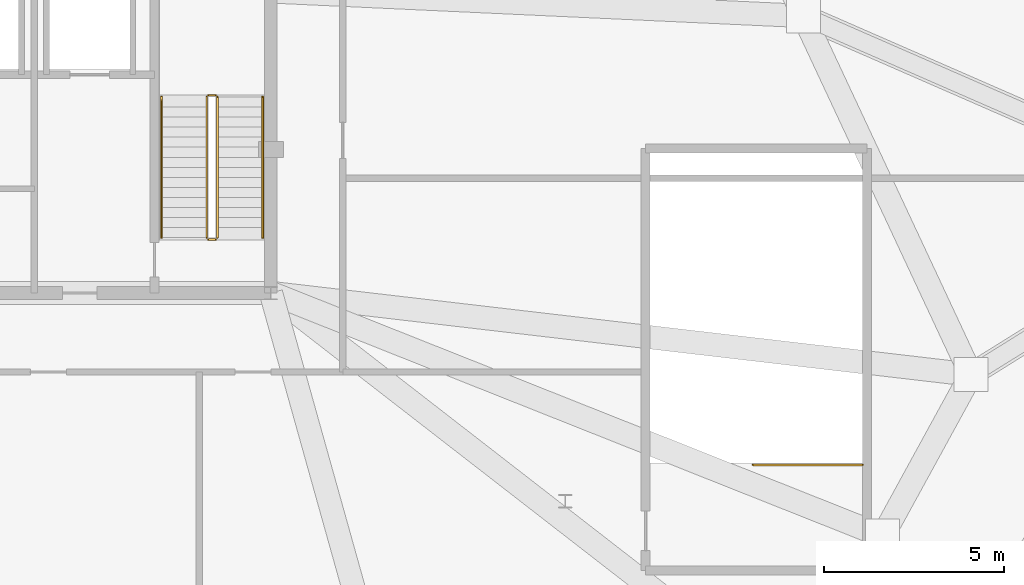
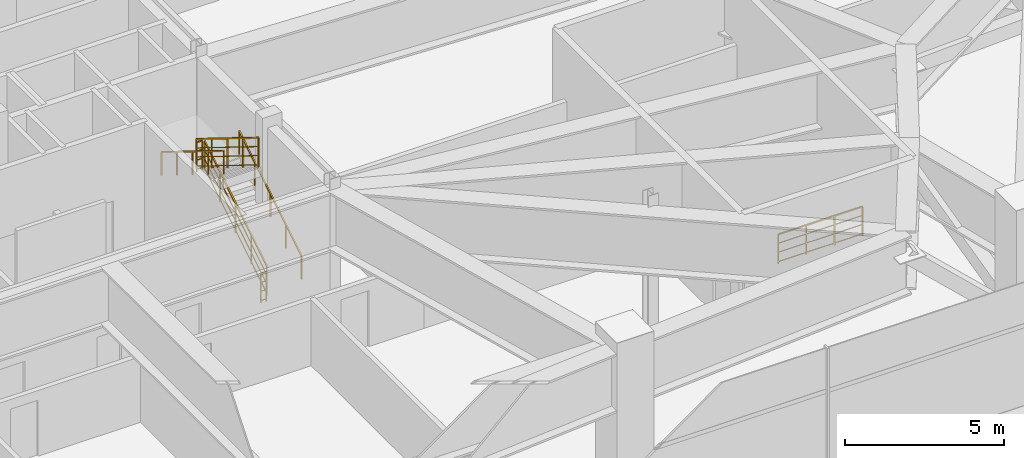
# One storey, part 27 of 29: 7 railings.
"""IFC4 building model written with IfcOpenShell, lengths in metres."""

from ifc_helpers import new_model, si_unit, direction, frame, origin, origin_2d, place, context, subcontext, project, spatial, rectangle, extrude, material, type_object, element, save


model = new_model("IFC4")

# Units and contexts
model_context = context("Model", 3, precision=1e-05, world=origin(), true_north=direction((0.0, 1.0)))
body_context = subcontext(model_context, "Body", "Model", "MODEL_VIEW")
ifc_project = project(units=[si_unit("LENGTHUNIT", "METRE"), si_unit("AREAUNIT", "SQUARE_METRE"), si_unit("VOLUMEUNIT", "CUBIC_METRE"), si_unit("PLANEANGLEUNIT", "RADIAN"), si_unit("MASSUNIT", "GRAM", prefix="KILO")], contexts=[model_context])

# Site, building, storey
site_placement = place(None, origin())
site = spatial("IfcSite", under=ifc_project, at=site_placement, CompositionType="ELEMENT")
building_placement = place(site_placement, origin())
building = spatial("IfcBuilding", under=site, at=building_placement, Name="Varakhsha Concourse Tower", CompositionType="ELEMENT")
storey_placement = place(building_placement, frame((0.0, 0.0, 22.0)))
storey = spatial("IfcBuildingStorey", under=building, at=storey_placement, Name="L05", CompositionType="ELEMENT", Elevation=22.0)

# Railings
ifc_material = material(Name="Brushed Austenitic Stainless Steel AISI 316", Category="steel")
railing_type_1 = type_object("IfcRailingType", Name="RL-STAIR-GUARD-1100", PredefinedType="GUARDRAIL", material=ifc_material)
railing_1_placement = place(storey_placement, frame((46.7099609375, 17.93994140625, 0.17333984375)))
element("IfcRailing", 1, at=railing_1_placement, inside=storey, type_object=railing_type_1, Name="L05 ST2 stair guard 1", PredefinedType="GUARDRAIL", context=body_context, shape_type="SweptSolid", body=[
    extrude(rectangle(XDim=0.048095703125, YDim=0.048095703125, at=origin_2d()), frame((0.0, 0.0, 1.1259765625), z_axis=(0.0, 0.850266275192, 0.526352791643), x_axis=(-1.0, 0.0, 0.0)), (0.0, 0.0, 1.0), 4.610595703125),
    extrude(rectangle(XDim=0.028076171875, YDim=0.028076171875, at=origin_2d()), frame((0.0, 0.0, 0.080078125), z_axis=(0.0, 0.850266275192, 0.526352791643), x_axis=(-1.0, 0.0, 0.0)), (0.0, 0.0, 1.0), 4.610595703125),
    extrude(rectangle(XDim=0.028076171875, YDim=0.028076171875, at=origin_2d()), frame((0.0, 0.0, 0.43701171875), z_axis=(0.0, 0.850266275192, 0.526352791643), x_axis=(-1.0, 0.0, 0.0)), (0.0, 0.0, 1.0), 4.610595703125),
    extrude(rectangle(XDim=0.028076171875, YDim=0.028076171875, at=origin_2d()), frame((0.0, 0.0, 0.781982421875), z_axis=(0.0, 0.850266275192, 0.526352791643), x_axis=(-1.0, 0.0, 0.0)), (0.0, 0.0, 1.0), 4.610595703125),
    extrude(rectangle(XDim=0.0419921875, YDim=0.0419921875, at=origin_2d()), origin(), (0.0, 0.0, 1.0), 1.101806640625),
    extrude(rectangle(XDim=0.0419921875, YDim=0.0419921875, at=origin_2d()), frame((0.0, 0.97998046875, 0.606689453125)), (0.0, 0.0, 1.0), 1.101806640625),
    extrude(rectangle(XDim=0.0419921875, YDim=0.0419921875, at=origin_2d()), frame((0.0, 1.9599609375, 1.21337890625)), (0.0, 0.0, 1.0), 1.101806640625),
    extrude(rectangle(XDim=0.0419921875, YDim=0.0419921875, at=origin_2d()), frame((0.0, 2.940185546875, 1.820068359375)), (0.0, 0.0, 1.0), 1.101806640625),
    extrude(rectangle(XDim=0.0419921875, YDim=0.0419921875, at=origin_2d()), frame((0.0, 3.920166015625, 2.4267578125)), (0.0, 0.0, 1.0), 1.101806640625),
])
railing_2_placement = place(storey_placement, frame((46.659912109375, 21.909912109375, 2.60009765625)))
element("IfcRailing", 2, at=railing_2_placement, inside=storey, type_object=railing_type_1, Name="L05 ST2 stair guard 2", PredefinedType="GUARDRAIL", context=body_context, shape_type="SweptSolid", body=[
    extrude(rectangle(XDim=0.048095703125, YDim=0.048095703125, at=origin_2d()), frame((0.0, 0.0, 1.1259765625), z_axis=(-1.0, 0.0, 0.0), x_axis=(0.0, -1.0, 0.0)), (0.0, 0.0, 1.0), 0.199951171875),
    extrude(rectangle(XDim=0.028076171875, YDim=0.028076171875, at=origin_2d()), frame((0.0, 0.0, 0.080078125), z_axis=(-1.0, 0.0, 0.0), x_axis=(0.0, -1.0, 0.0)), (0.0, 0.0, 1.0), 0.199951171875),
    extrude(rectangle(XDim=0.028076171875, YDim=0.028076171875, at=origin_2d()), frame((0.0, 0.0, 0.43701171875), z_axis=(-1.0, 0.0, 0.0), x_axis=(0.0, -1.0, 0.0)), (0.0, 0.0, 1.0), 0.199951171875),
    extrude(rectangle(XDim=0.028076171875, YDim=0.028076171875, at=origin_2d()), frame((0.0, 0.0, 0.781982421875), z_axis=(-1.0, 0.0, 0.0), x_axis=(0.0, -1.0, 0.0)), (0.0, 0.0, 1.0), 0.199951171875),
    extrude(rectangle(XDim=0.0419921875, YDim=0.0419921875, at=origin_2d()), origin(), (0.0, 0.0, 1.0), 1.101806640625),
    extrude(rectangle(XDim=0.0419921875, YDim=0.0419921875, at=origin_2d()), frame((-0.199951171875, 0.0, 0.0)), (0.0, 0.0, 1.0), 1.101806640625),
])
railing_3_placement = place(storey_placement, frame((46.409912109375, 21.860107421875, 2.7734375)))
element("IfcRailing", 3, at=railing_3_placement, inside=storey, type_object=railing_type_1, Name="L05 ST2 stair guard 3", PredefinedType="GUARDRAIL", context=body_context, shape_type="SweptSolid", body=[
    extrude(rectangle(XDim=0.048095703125, YDim=0.048095703125, at=origin_2d()), frame((0.0, 0.0, 1.1259765625), z_axis=(0.0, -0.850289973577, 0.526314507528), x_axis=(1.0, 0.0, 0.0)), (0.0, 0.0, 1.0), 4.6103515625),
    extrude(rectangle(XDim=0.028076171875, YDim=0.028076171875, at=origin_2d()), frame((0.0, 0.0, 0.080078125), z_axis=(0.0, -0.850289973577, 0.526314507528), x_axis=(1.0, 0.0, 0.0)), (0.0, 0.0, 1.0), 4.6103515625),
    extrude(rectangle(XDim=0.028076171875, YDim=0.028076171875, at=origin_2d()), frame((0.0, 0.0, 0.43701171875), z_axis=(0.0, -0.850289973577, 0.526314507528), x_axis=(1.0, 0.0, 0.0)), (0.0, 0.0, 1.0), 4.6103515625),
    extrude(rectangle(XDim=0.028076171875, YDim=0.028076171875, at=origin_2d()), frame((0.0, 0.0, 0.781982421875), z_axis=(0.0, -0.850289973577, 0.526314507528), x_axis=(1.0, 0.0, 0.0)), (0.0, 0.0, 1.0), 4.6103515625),
    extrude(rectangle(XDim=0.0419921875, YDim=0.0419921875, at=origin_2d()), origin(), (0.0, 0.0, 1.0), 1.101806640625),
    extrude(rectangle(XDim=0.0419921875, YDim=0.0419921875, at=origin_2d()), frame((0.0, -0.97998046875, 0.606689453125)), (0.0, 0.0, 1.0), 1.101806640625),
    extrude(rectangle(XDim=0.0419921875, YDim=0.0419921875, at=origin_2d()), frame((0.0, -1.9599609375, 1.21337890625)), (0.0, 0.0, 1.0), 1.101806640625),
    extrude(rectangle(XDim=0.0419921875, YDim=0.0419921875, at=origin_2d()), frame((0.0, -2.940185546875, 1.81982421875)), (0.0, 0.0, 1.0), 1.101806640625),
    extrude(rectangle(XDim=0.0419921875, YDim=0.0419921875, at=origin_2d()), frame((0.0, -3.920166015625, 2.426513671875)), (0.0, 0.0, 1.0), 1.101806640625),
])
railing_4_placement = place(storey_placement, frame((46.659912109375, 17.889892578125, 0.0)))
element("IfcRailing", 4, at=railing_4_placement, inside=storey, type_object=railing_type_1, Name="L05 ST2 stair guard 4", PredefinedType="GUARDRAIL", context=body_context, shape_type="SweptSolid", body=[
    extrude(rectangle(XDim=0.048095703125, YDim=0.048095703125, at=origin_2d()), frame((0.0, 0.0, 1.1259765625), z_axis=(-1.0, 0.0, 0.0), x_axis=(0.0, -1.0, 0.0)), (0.0, 0.0, 1.0), 0.199951171875),
    extrude(rectangle(XDim=0.028076171875, YDim=0.028076171875, at=origin_2d()), frame((0.0, 0.0, 0.080078125), z_axis=(-1.0, 0.0, 0.0), x_axis=(0.0, -1.0, 0.0)), (0.0, 0.0, 1.0), 0.199951171875),
    extrude(rectangle(XDim=0.028076171875, YDim=0.028076171875, at=origin_2d()), frame((0.0, 0.0, 0.43701171875), z_axis=(-1.0, 0.0, 0.0), x_axis=(0.0, -1.0, 0.0)), (0.0, 0.0, 1.0), 0.199951171875),
    extrude(rectangle(XDim=0.028076171875, YDim=0.028076171875, at=origin_2d()), frame((0.0, 0.0, 0.781982421875), z_axis=(-1.0, 0.0, 0.0), x_axis=(0.0, -1.0, 0.0)), (0.0, 0.0, 1.0), 0.199951171875),
    extrude(rectangle(XDim=0.0419921875, YDim=0.0419921875, at=origin_2d()), origin(), (0.0, 0.0, 1.0), 1.101806640625),
    extrude(rectangle(XDim=0.0419921875, YDim=0.0419921875, at=origin_2d()), frame((-0.199951171875, 0.0, 0.0)), (0.0, 0.0, 1.0), 1.101806640625),
])
railing_5_placement = place(storey_placement, frame((64.679931640625, 11.610107421875, 0.0)))
element("IfcRailing", 5, at=railing_5_placement, inside=storey, type_object=railing_type_1, Name="L05 ST4 top well guard 1", PredefinedType="GUARDRAIL", context=body_context, shape_type="SweptSolid", body=[
    extrude(rectangle(XDim=0.048095703125, YDim=0.048095703125, at=origin_2d()), frame((0.0, 0.0, 1.1259765625), z_axis=(-1.0, 0.0, 0.0), x_axis=(0.0, -1.0, 0.0)), (0.0, 0.0, 1.0), 3.059814453125),
    extrude(rectangle(XDim=0.028076171875, YDim=0.028076171875, at=origin_2d()), frame((0.0, 0.0, 0.080078125), z_axis=(-1.0, 0.0, 0.0), x_axis=(0.0, -1.0, 0.0)), (0.0, 0.0, 1.0), 3.059814453125),
    extrude(rectangle(XDim=0.028076171875, YDim=0.028076171875, at=origin_2d()), frame((0.0, 0.0, 0.43701171875), z_axis=(-1.0, 0.0, 0.0), x_axis=(0.0, -1.0, 0.0)), (0.0, 0.0, 1.0), 3.059814453125),
    extrude(rectangle(XDim=0.028076171875, YDim=0.028076171875, at=origin_2d()), frame((0.0, 0.0, 0.781982421875), z_axis=(-1.0, 0.0, 0.0), x_axis=(0.0, -1.0, 0.0)), (0.0, 0.0, 1.0), 3.059814453125),
    extrude(rectangle(XDim=0.0419921875, YDim=0.0419921875, at=origin_2d()), origin(), (0.0, 0.0, 1.0), 1.101806640625),
    extrude(rectangle(XDim=0.0419921875, YDim=0.0419921875, at=origin_2d()), frame((-1.02001953125, 0.0, 0.0)), (0.0, 0.0, 1.0), 1.101806640625),
    extrude(rectangle(XDim=0.0419921875, YDim=0.0419921875, at=origin_2d()), frame((-2.039794921875, 0.0, 0.0)), (0.0, 0.0, 1.0), 1.101806640625),
    extrude(rectangle(XDim=0.0419921875, YDim=0.0419921875, at=origin_2d()), frame((-3.059814453125, 0.0, 0.0)), (0.0, 0.0, 1.0), 1.101806640625),
])
railing_type_2 = type_object("IfcRailingType", Name="RL-STAIR-RAIL-915", PredefinedType="HANDRAIL", material=ifc_material)
railing_6_placement = place(storey_placement, frame((47.969970703125, 17.93994140625, 0.3466796875)))
element("IfcRailing", 6, at=railing_6_placement, inside=storey, type_object=railing_type_2, Name="L05 ST2 stair handrail 1", PredefinedType="HANDRAIL", context=body_context, shape_type="SweptSolid", body=[
    extrude(rectangle(XDim=0.048095703125, YDim=0.048095703125, at=origin_2d()), frame((0.0, 0.0, 0.89111328125), z_axis=(0.0, 0.850266275192, 0.526352791643), x_axis=(-1.0, 0.0, 0.0)), (0.0, 0.0, 1.0), 4.610595703125),
    extrude(rectangle(XDim=0.0419921875, YDim=0.0419921875, at=origin_2d()), origin(), (0.0, 0.0, 1.0), 0.866943359375),
    extrude(rectangle(XDim=0.0419921875, YDim=0.0419921875, at=origin_2d()), frame((0.0, 0.97998046875, 0.606689453125)), (0.0, 0.0, 1.0), 0.866943359375),
    extrude(rectangle(XDim=0.0419921875, YDim=0.0419921875, at=origin_2d()), frame((0.0, 1.9599609375, 1.21337890625)), (0.0, 0.0, 1.0), 0.866943359375),
    extrude(rectangle(XDim=0.0419921875, YDim=0.0419921875, at=origin_2d()), frame((0.0, 2.940185546875, 1.820068359375)), (0.0, 0.0, 1.0), 0.866943359375),
    extrude(rectangle(XDim=0.0419921875, YDim=0.0419921875, at=origin_2d()), frame((0.0, 3.920166015625, 2.4267578125)), (0.0, 0.0, 1.0), 0.866943359375),
])
railing_7_placement = place(storey_placement, frame((45.14990234375, 21.860107421875, 2.94677734375)))
element("IfcRailing", 7, at=railing_7_placement, inside=storey, type_object=railing_type_2, Name="L05 ST2 stair handrail 2", PredefinedType="HANDRAIL", context=body_context, shape_type="SweptSolid", body=[
    extrude(rectangle(XDim=0.048095703125, YDim=0.048095703125, at=origin_2d()), frame((0.0, 0.0, 0.89111328125), z_axis=(0.0, -0.850289973577, 0.526314507528), x_axis=(1.0, 0.0, 0.0)), (0.0, 0.0, 1.0), 4.6103515625),
    extrude(rectangle(XDim=0.0419921875, YDim=0.0419921875, at=origin_2d()), origin(), (0.0, 0.0, 1.0), 0.866943359375),
    extrude(rectangle(XDim=0.0419921875, YDim=0.0419921875, at=origin_2d()), frame((0.0, -0.97998046875, 0.606689453125)), (0.0, 0.0, 1.0), 0.866943359375),
    extrude(rectangle(XDim=0.0419921875, YDim=0.0419921875, at=origin_2d()), frame((0.0, -1.9599609375, 1.21337890625)), (0.0, 0.0, 1.0), 0.866943359375),
    extrude(rectangle(XDim=0.0419921875, YDim=0.0419921875, at=origin_2d()), frame((0.0, -2.940185546875, 1.81982421875)), (0.0, 0.0, 1.0), 0.866943359375),
    extrude(rectangle(XDim=0.0419921875, YDim=0.0419921875, at=origin_2d()), frame((0.0, -3.920166015625, 2.426513671875)), (0.0, 0.0, 1.0), 0.866943359375),
])

save(model, "model.ifc")
